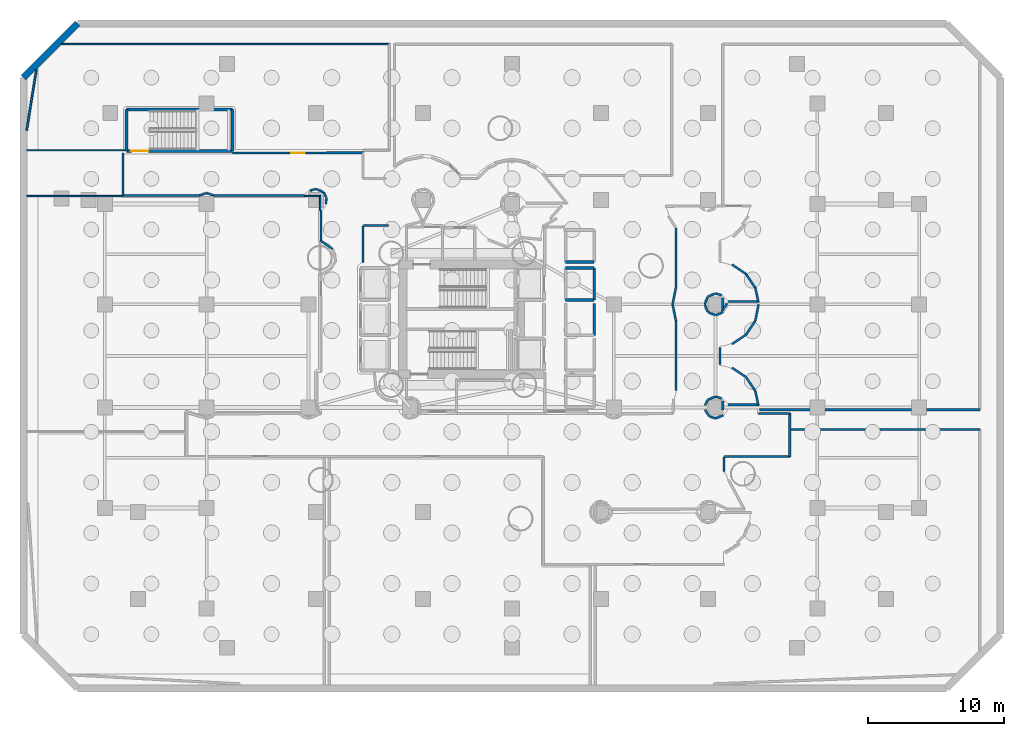
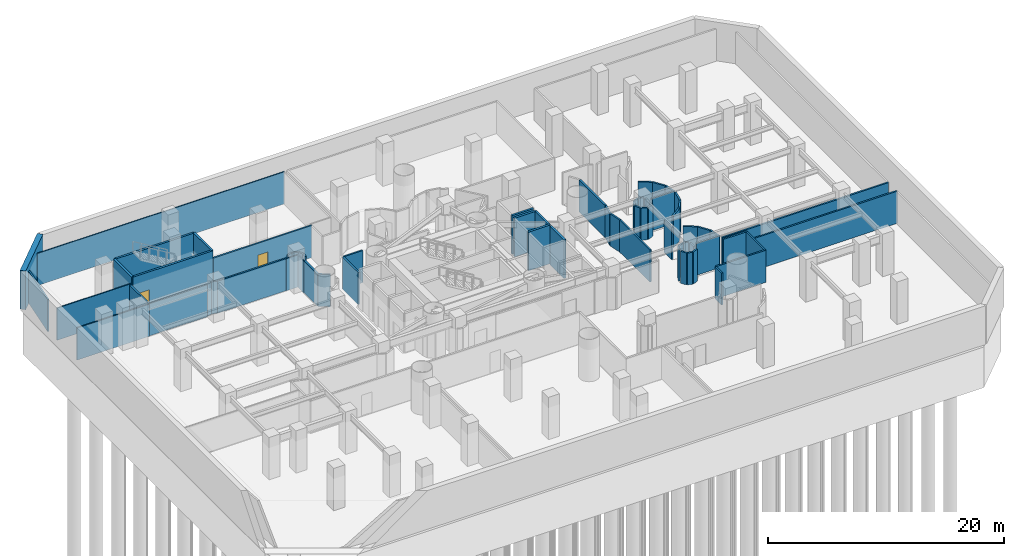
# One storey, part 5 of 13: 67 walls, 2 doors, 2 openings.
"""IFC4 building model written with IfcOpenShell, lengths in metres."""

from ifc_helpers import new_model, si_unit, direction, frame, frame_2d, origin, place, context, subcontext, project, spatial, rectangle, extrude, material, layer, layer_set, type_object, element, fill, save


model = new_model("IFC4")

# Units and contexts
model_context = context("Model", 3, precision=1e-05, world=origin(), true_north=direction((0.0, 1.0)))
body_context = subcontext(model_context, "Body", "Model", "MODEL_VIEW")
ifc_project = project(units=[si_unit("LENGTHUNIT", "METRE"), si_unit("AREAUNIT", "SQUARE_METRE"), si_unit("VOLUMEUNIT", "CUBIC_METRE"), si_unit("PLANEANGLEUNIT", "RADIAN"), si_unit("MASSUNIT", "GRAM", prefix="KILO")], contexts=[model_context])

# Site, building, storey
site_placement = place(None, origin())
site = spatial("IfcSite", under=ifc_project, at=site_placement, CompositionType="ELEMENT")
building_placement = place(site_placement, origin())
building = spatial("IfcBuilding", under=site, at=building_placement, Name="Qianvela Tower", CompositionType="ELEMENT")
storey_placement = place(building_placement, frame((0.0, 0.0, -10.0)))
storey = spatial("IfcBuildingStorey", under=building, at=storey_placement, Name="B02", CompositionType="ELEMENT", Elevation=-10.0)

# Wall
ifc_material_1 = material(Name="Fire-Rated Gypsum and Concrete Block", Category="concrete")
ifc_layer_1 = layer(ifc_material_1, 0.159912109375)
ifc_layer_set_1 = layer_set([ifc_layer_1], Name="Fire-Rated Gypsum and Concrete Block")
wall_type_1 = type_object("IfcWallType", Name="WT-CORR-160", PredefinedType="PARTITIONING", material=ifc_layer_set_1)
wall_1_placement = place(storey_placement, frame((8.8310546875, 37.800048828125, 0.0), z_axis=(0.0, 0.0, 1.0), x_axis=(0.0, 1.0, 0.0)))
element("IfcWall", 1, at=wall_1_placement, inside=storey, type_object=wall_type_1, Name="B02 Partition 36", PredefinedType="PARTITIONING", context=body_context, shape_type="SweptSolid", body=[
    extrude(rectangle(XDim=3.159912109375, YDim=0.159912109375, at=frame_2d((1.580078125, 0.0))), origin(), (0.0, 0.0, 1.0), 3.320068359375),
])

# Wall, opening, door
wall_2_placement = place(storey_placement, frame((16.89990234375, 40.947265625, 0.0), z_axis=(0.0, 0.0, 1.0), x_axis=(0.999997465101, 0.002251619764, 0.0)))
wall_2 = element("IfcWall", 2, at=wall_2_placement, inside=storey, type_object=wall_type_1, Name="B02 Partition 37 seg 2", PredefinedType="PARTITIONING", context=body_context, shape_type="SweptSolid", body=[
    extrude(rectangle(XDim=9.650146484375, YDim=0.159912109375, at=frame_2d((4.8251953125, 0.0))), origin(), (0.0, 0.0, 1.0), 3.320068359375),
])
opening_1_placement = place(wall_2_placement, frame((4.335205078125, 0.0, 0.0)))
opening_1 = element("IfcOpeningElement", 3, at=opening_1_placement, cuts=wall_2, Name="Opening D-RM1", PredefinedType="OPENING", context=body_context, shape_type="SweptSolid", body=[
    extrude(rectangle(XDim=0.97998046875, YDim=2.10009765625, at=frame_2d((0.489990234375, 1.050048828125))), frame((0.0, 0.08984375, 0.0), z_axis=(0.0, -1.0, 0.0), x_axis=(1.0, 0.0, 0.0)), (0.0, 0.0, 1.0), 0.179931640625),
])
ifc_material_2 = material(Name="Solid Core Acoustic Timber Fire Door", Category="wood")
door_type_1 = type_object("IfcDoorType", Name="DT-ROOM-FD60", OperationType="NOTDEFINED", PredefinedType="DOOR", material=ifc_material_2)
door_1_placement = place(opening_1_placement, origin())
door_1 = element("IfcDoor", 4, at=door_1_placement, inside=storey, type_object=door_type_1, Name="B02 Door B02 Electric Bicycle Storage North to B02 Plant and Bicycle Corridor", OperationType="SINGLE_SWING_LEFT", OverallHeight=2.10009765625, OverallWidth=0.97998046875, PredefinedType="DOOR", context=body_context, shape_type="SweptSolid", body=[
    extrude(rectangle(XDim=0.97998046875, YDim=2.10009765625, at=frame_2d((0.489990234375, 1.050048828125))), frame((0.0, 0.02490234375, 0.0), z_axis=(0.0, -1.0, 0.0), x_axis=(1.0, 0.0, 0.0)), (0.0, 0.0, 1.0), 0.050048828125),
])
fill(opening_1, door_1)

# Walls
wall_3_placement = place(storey_placement, frame((28.411376953125, 35.611083984375, 0.0), z_axis=(0.0, 0.0, 1.0), x_axis=(-1.0, 0.0, 0.0)))
element("IfcWall", 5, at=wall_3_placement, inside=storey, type_object=wall_type_1, Name="B02 Partition 77", PredefinedType="PARTITIONING", context=body_context, shape_type="SweptSolid", body=[
    extrude(rectangle(XDim=1.861328125, YDim=0.159912109375, at=frame_2d((0.9306640625, 0.0))), origin(), (0.0, 0.0, 1.0), 3.320068359375),
])
wall_4_placement = place(storey_placement, frame((26.51904296875, 35.580078125, 0.0), z_axis=(0.0, 0.0, 1.0), x_axis=(0.0, -1.0, 0.0)))
element("IfcWall", 6, at=wall_4_placement, inside=storey, type_object=wall_type_1, Name="B02 Partition 78", PredefinedType="PARTITIONING", context=body_context, shape_type="SweptSolid", body=[
    extrude(rectangle(XDim=2.682861328125, YDim=0.159912109375, at=frame_2d((1.34130859375, 0.0))), origin(), (0.0, 0.0, 1.0), 3.320068359375),
])
wall_5_placement = place(storey_placement, frame((49.5810546875, 23.4365234375, 0.0), z_axis=(0.0, 0.0, 1.0), x_axis=(0.0, 1.0, 0.0)))
element("IfcWall", 7, at=wall_5_placement, inside=storey, type_object=wall_type_1, Name="B02 Partition 93", PredefinedType="PARTITIONING", context=body_context, shape_type="SweptSolid", body=[
    extrude(rectangle(XDim=5.126953125, YDim=0.159912109375, at=frame_2d((2.5634765625, 0.0))), origin(), (0.0, 0.0, 1.0), 3.320068359375),
])
for number, where, z_axis, x_axis, name in (
    (8, (49.580322265625, 28.569580078125, 0.0), (0.0, 0.0, 1.0), (-0.198162533944, 0.980169174245, 0.0), "B02 Partition 94"),
    (9, (49.330322265625, 29.7939453125, 0.0), (0.0, 0.0, 1.0), (0.198162533944, 0.980169174245, 0.0), "B02 Partition 95"),
):
    element("IfcWall", number, at=place(storey_placement, frame(where, z_axis=z_axis, x_axis=x_axis)), inside=storey, type_object=wall_type_1, Name=name, PredefinedType="PARTITIONING", context=body_context, shape_type="SweptSolid", body=[
        extrude(rectangle(XDim=1.261474609375, YDim=0.159912109375, at=frame_2d((0.630859375, 0.0))), origin(), (0.0, 0.0, 1.0), 3.320068359375),
    ])
wall_6_placement = place(storey_placement, frame((49.5810546875, 31.03662109375, 0.0), z_axis=(0.0, 0.0, 1.0), x_axis=(0.0, 1.0, 0.0)))
element("IfcWall", 10, at=wall_6_placement, inside=storey, type_object=wall_type_1, Name="B02 Partition 96", PredefinedType="PARTITIONING", context=body_context, shape_type="SweptSolid", body=[
    extrude(rectangle(XDim=4.37451171875, YDim=0.159912109375, at=frame_2d((2.187255859375, 0.0))), origin(), (0.0, 0.0, 1.0), 3.320068359375),
])
for number, where, z_axis, x_axis, name in (
    (11, (53.70751953125, 32.730712890625, 0.0), (0.0, 0.0, 1.0), (0.831478245117, -0.555557312883, 0.0), "B02 Partition 108"),
    (12, (54.737060546875, 32.04541015625, 0.0), (0.0, 0.0, 1.0), (0.555557312883, -0.831478245117, 0.0), "B02 Partition 109"),
):
    element("IfcWall", number, at=place(storey_placement, frame(where, z_axis=z_axis, x_axis=x_axis)), inside=storey, type_object=wall_type_1, Name=name, PredefinedType="PARTITIONING", context=body_context, shape_type="SweptSolid", body=[
        extrude(rectangle(XDim=1.24853515625, YDim=0.159912109375, at=frame_2d((0.624267578125, 0.0))), origin(), (0.0, 0.0, 1.0), 3.320068359375),
    ])
wall_7_placement = place(storey_placement, frame((55.426025390625, 31.01806640625, 0.0), z_axis=(0.0, 0.0, 1.0), x_axis=(0.210629490676, -0.977565965885, 0.0)))
element("IfcWall", 13, at=wall_7_placement, inside=storey, type_object=wall_type_1, Name="B02 Partition 110", PredefinedType="PARTITIONING", context=body_context, shape_type="SweptSolid", body=[
    extrude(rectangle(XDim=1.07568359375, YDim=0.159912109375, at=frame_2d((0.537841796875, 0.0))), origin(), (0.0, 0.0, 1.0), 3.320068359375),
])
wall_8_placement = place(storey_placement, frame((55.682861328125, 30.004150390625, 0.0), z_axis=(0.0, 0.0, 1.0), x_axis=(-0.99999670426, -0.002567385634, 0.0)))
element("IfcWall", 14, at=wall_8_placement, inside=storey, type_object=wall_type_1, Name="B02 Partition 111", PredefinedType="PARTITIONING", context=body_context, shape_type="SweptSolid", body=[
    extrude(rectangle(XDim=2.2822265625, YDim=0.159912109375, at=frame_2d((1.14111328125, 0.0))), origin(), (0.0, 0.0, 1.0), 3.320068359375),
])
wall_9_placement = place(storey_placement, frame((52.936767578125, 30.469970703125, 0.0), z_axis=(0.0, 0.0, 1.0), x_axis=(-0.957010621041, 0.290052876583, 0.0)))
element("IfcWall", 15, at=wall_9_placement, inside=storey, type_object=wall_type_1, Name="B02 Partition 112", PredefinedType="PARTITIONING", context=body_context, shape_type="SweptSolid", body=[
    extrude(rectangle(XDim=0.447021484375, YDim=0.159912109375, at=frame_2d((0.2236328125, 0.0))), origin(), (0.0, 0.0, 1.0), 3.320068359375),
])
wall_10_placement = place(storey_placement, frame((52.488037109375, 30.5986328125, 0.0), z_axis=(0.0, 0.0, 1.0), x_axis=(-0.923835035561, -0.382790839847, 0.0)))
element("IfcWall", 16, at=wall_10_placement, inside=storey, type_object=wall_type_1, Name="B02 Partition 113", PredefinedType="PARTITIONING", context=body_context, shape_type="SweptSolid", body=[
    extrude(rectangle(XDim=0.58935546875, YDim=0.159912109375, at=frame_2d((0.294677734375, 0.0))), origin(), (0.0, 0.0, 1.0), 3.320068359375),
])
wall_11_placement = place(storey_placement, frame((51.927001953125, 30.356201171875, 0.0), z_axis=(0.0, 0.0, 1.0), x_axis=(-0.382937393786, -0.923774297348, 0.0)))
element("IfcWall", 17, at=wall_11_placement, inside=storey, type_object=wall_type_1, Name="B02 Partition 114", PredefinedType="PARTITIONING", context=body_context, shape_type="SweptSolid", body=[
    extrude(rectangle(XDim=0.589111328125, YDim=0.159912109375, at=frame_2d((0.29443359375, 0.0))), origin(), (0.0, 0.0, 1.0), 3.320068359375),
])
wall_12_placement = place(storey_placement, frame((51.701416015625, 29.7880859375, 0.0), z_axis=(0.0, 0.0, 1.0), x_axis=(0.382790839847, -0.923835035561, 0.0)))
element("IfcWall", 18, at=wall_12_placement, inside=storey, type_object=wall_type_1, Name="B02 Partition 115", PredefinedType="PARTITIONING", context=body_context, shape_type="SweptSolid", body=[
    extrude(rectangle(XDim=0.58935546875, YDim=0.159912109375, at=frame_2d((0.294677734375, 0.0))), origin(), (0.0, 0.0, 1.0), 3.320068359375),
])
for number, where, z_axis, x_axis, name in (
    (19, (51.943603515625, 29.226806640625, 0.0), (0.0, 0.0, 1.0), (0.923981493772, -0.382437183296, 0.0), "B02 Partition 116"),
    (20, (52.511962890625, 29.00146484375, 0.0), (0.0, 0.0, 1.0), (0.923981493772, 0.382437183296, 0.0), "B02 Partition 117"),
):
    element("IfcWall", number, at=place(storey_placement, frame(where, z_axis=z_axis, x_axis=x_axis)), inside=storey, type_object=wall_type_1, Name=name, PredefinedType="PARTITIONING", context=body_context, shape_type="SweptSolid", body=[
        extrude(rectangle(XDim=0.589111328125, YDim=0.159912109375, at=frame_2d((0.29443359375, 0.0))), origin(), (0.0, 0.0, 1.0), 3.320068359375),
    ])
wall_13_placement = place(storey_placement, frame((55.6689453125, 29.79931640625, 0.0), z_axis=(0.0, 0.0, 1.0), x_axis=(-0.195624591427, -0.980678856318, 0.0)))
element("IfcWall", 21, at=wall_13_placement, inside=storey, type_object=wall_type_1, Name="B02 Partition 119", PredefinedType="PARTITIONING", context=body_context, shape_type="SweptSolid", body=[
    extrude(rectangle(XDim=1.24169921875, YDim=0.159912109375, at=frame_2d((0.620849609375, 0.0))), origin(), (0.0, 0.0, 1.0), 3.320068359375),
])
for number, where, z_axis, x_axis, name in (
    (22, (55.4306640625, 28.592529296875, 0.0), (0.0, 0.0, 1.0), (-0.555557312883, -0.831478245117, 0.0), "B02 Partition 120"),
    (23, (54.74560546875, 27.56298828125, 0.0), (0.0, 0.0, 1.0), (-0.831478245117, -0.555557312883, 0.0), "B02 Partition 121"),
):
    element("IfcWall", number, at=place(storey_placement, frame(where, z_axis=z_axis, x_axis=x_axis)), inside=storey, type_object=wall_type_1, Name=name, PredefinedType="PARTITIONING", context=body_context, shape_type="SweptSolid", body=[
        extrude(rectangle(XDim=1.24853515625, YDim=0.159912109375, at=frame_2d((0.624267578125, 0.0))), origin(), (0.0, 0.0, 1.0), 3.320068359375),
    ])
wall_14_placement = place(storey_placement, frame((52.819091796875, 26.634521484375, 0.0), z_axis=(0.0, 0.0, 1.0), x_axis=(0.0, -1.0, 0.0)))
element("IfcWall", 24, at=wall_14_placement, inside=storey, type_object=wall_type_1, Name="B02 Partition 123", PredefinedType="PARTITIONING", context=body_context, shape_type="SweptSolid", body=[
    extrude(rectangle(XDim=1.26904296875, YDim=0.159912109375, at=frame_2d((0.634521484375, 0.0))), origin(), (0.0, 0.0, 1.0), 3.320068359375),
])
for number, where, z_axis, x_axis, name in (
    (25, (53.70751953125, 25.130615234375, 0.0), (0.0, 0.0, 1.0), (0.831478245117, -0.555557312883, 0.0), "B02 Partition 125"),
    (26, (54.737060546875, 24.445556640625, 0.0), (0.0, 0.0, 1.0), (0.555557312883, -0.831478245117, 0.0), "B02 Partition 126"),
):
    element("IfcWall", number, at=place(storey_placement, frame(where, z_axis=z_axis, x_axis=x_axis)), inside=storey, type_object=wall_type_1, Name=name, PredefinedType="PARTITIONING", context=body_context, shape_type="SweptSolid", body=[
        extrude(rectangle(XDim=1.24853515625, YDim=0.159912109375, at=frame_2d((0.624267578125, 0.0))), origin(), (0.0, 0.0, 1.0), 3.320068359375),
    ])
wall_15_placement = place(storey_placement, frame((55.426025390625, 23.418212890625, 0.0), z_axis=(0.0, 0.0, 1.0), x_axis=(0.210582766426, -0.977576032073, 0.0)))
element("IfcWall", 27, at=wall_15_placement, inside=storey, type_object=wall_type_1, Name="B02 Partition 127", PredefinedType="PARTITIONING", context=body_context, shape_type="SweptSolid", body=[
    extrude(rectangle(XDim=1.075927734375, YDim=0.159912109375, at=frame_2d((0.5380859375, 0.0))), origin(), (0.0, 0.0, 1.0), 3.320068359375),
])
wall_16_placement = place(storey_placement, frame((55.682861328125, 22.404052734375, 0.0), z_axis=(0.0, 0.0, 1.0), x_axis=(-0.999996973182, -0.002460411894, 0.0)))
element("IfcWall", 28, at=wall_16_placement, inside=storey, type_object=wall_type_1, Name="B02 Partition 128", PredefinedType="PARTITIONING", context=body_context, shape_type="SweptSolid", body=[
    extrude(rectangle(XDim=2.2822265625, YDim=0.159912109375, at=frame_2d((1.14111328125, 0.0))), origin(), (0.0, 0.0, 1.0), 3.320068359375),
])
wall_17_placement = place(storey_placement, frame((52.936767578125, 22.869873046875, 0.0), z_axis=(0.0, 0.0, 1.0), x_axis=(-0.956858887343, 0.290553041134, 0.0)))
element("IfcWall", 29, at=wall_17_placement, inside=storey, type_object=wall_type_1, Name="B02 Partition 129", PredefinedType="PARTITIONING", context=body_context, shape_type="SweptSolid", body=[
    extrude(rectangle(XDim=0.447021484375, YDim=0.159912109375, at=frame_2d((0.2236328125, 0.0))), origin(), (0.0, 0.0, 1.0), 3.320068359375),
])
wall_18_placement = place(storey_placement, frame((52.488037109375, 22.99853515625, 0.0), z_axis=(0.0, 0.0, 1.0), x_axis=(-0.923981493772, -0.382437183296, 0.0)))
element("IfcWall", 30, at=wall_18_placement, inside=storey, type_object=wall_type_1, Name="B02 Partition 130", PredefinedType="PARTITIONING", context=body_context, shape_type="SweptSolid", body=[
    extrude(rectangle(XDim=0.589111328125, YDim=0.159912109375, at=frame_2d((0.29443359375, 0.0))), origin(), (0.0, 0.0, 1.0), 3.320068359375),
])
wall_19_placement = place(storey_placement, frame((51.92822265625, 22.759033203125, 0.0), z_axis=(0.0, 0.0, 1.0), x_axis=(-0.471296709458, -0.881974722798, 0.0)))
element("IfcWall", 31, at=wall_19_placement, inside=storey, type_object=wall_type_1, Name="B02 Partition 131", PredefinedType="PARTITIONING", context=body_context, shape_type="SweptSolid", body=[
    extrude(rectangle(XDim=0.447021484375, YDim=0.159912109375, at=frame_2d((0.2236328125, 0.0))), origin(), (0.0, 0.0, 1.0), 3.320068359375),
])
wall_20_placement = place(storey_placement, frame((51.718994140625, 22.03271484375, 0.0), z_axis=(0.0, 0.0, 1.0), x_axis=(0.555369021078, -0.831604022613, 0.0)))
element("IfcWall", 32, at=wall_20_placement, inside=storey, type_object=wall_type_1, Name="B02 Partition 132", PredefinedType="PARTITIONING", context=body_context, shape_type="SweptSolid", body=[
    extrude(rectangle(XDim=0.589599609375, YDim=0.159912109375, at=frame_2d((0.294921875, 0.0))), origin(), (0.0, 0.0, 1.0), 3.320068359375),
])
wall_21_placement = place(storey_placement, frame((52.063232421875, 21.530029296875, 0.0), z_axis=(0.0, 0.0, 1.0), x_axis=(0.957010621041, -0.290052876583, 0.0)))
element("IfcWall", 33, at=wall_21_placement, inside=storey, type_object=wall_type_1, Name="B02 Partition 133", PredefinedType="PARTITIONING", context=body_context, shape_type="SweptSolid", body=[
    extrude(rectangle(XDim=0.447021484375, YDim=0.159912109375, at=frame_2d((0.2236328125, 0.0))), origin(), (0.0, 0.0, 1.0), 3.320068359375),
])
wall_22_placement = place(storey_placement, frame((52.511962890625, 21.4013671875, 0.0), z_axis=(0.0, 0.0, 1.0), x_axis=(0.923835035561, 0.382790839847, 0.0)))
element("IfcWall", 34, at=wall_22_placement, inside=storey, type_object=wall_type_1, Name="B02 Partition 134", PredefinedType="PARTITIONING", context=body_context, shape_type="SweptSolid", body=[
    extrude(rectangle(XDim=0.58935546875, YDim=0.159912109375, at=frame_2d((0.294677734375, 0.0))), origin(), (0.0, 0.0, 1.0), 3.320068359375),
])
wall_23_placement = place(storey_placement, frame((55.65869140625, 21.7490234375, 0.0), z_axis=(0.0, 0.0, 1.0), x_axis=(1.0, 0.0, 0.0)))
element("IfcWall", 35, at=wall_23_placement, inside=storey, type_object=wall_type_1, Name="B02 Partition 136", PredefinedType="PARTITIONING", context=body_context, shape_type="SweptSolid", body=[
    extrude(rectangle(XDim=2.34130859375, YDim=0.159912109375, at=frame_2d((1.170654296875, 0.0))), origin(), (0.0, 0.0, 1.0), 3.320068359375),
])
wall_24_placement = place(storey_placement, frame((57.968994140625, 21.780029296875, 0.0), z_axis=(0.0, 0.0, 1.0), x_axis=(0.0, -1.0, 0.0)))
element("IfcWall", 36, at=wall_24_placement, inside=storey, type_object=wall_type_1, Name="B02 Partition 137", PredefinedType="PARTITIONING", context=body_context, shape_type="SweptSolid", body=[
    extrude(rectangle(XDim=3.22998046875, YDim=0.159912109375, at=frame_2d((1.614990234375, 0.0))), origin(), (0.0, 0.0, 1.0), 3.320068359375),
])
wall_25_placement = place(storey_placement, frame((58.0, 18.5810546875, 0.0), z_axis=(0.0, 0.0, 1.0), x_axis=(-1.0, 0.0, 0.0)))
element("IfcWall", 37, at=wall_25_placement, inside=storey, type_object=wall_type_1, Name="B02 Partition 138", PredefinedType="PARTITIONING", context=body_context, shape_type="SweptSolid", body=[
    extrude(rectangle(XDim=4.85009765625, YDim=0.159912109375, at=frame_2d((2.425048828125, 0.0))), origin(), (0.0, 0.0, 1.0), 3.320068359375),
])
wall_26_placement = place(storey_placement, frame((53.118896484375, 18.550048828125, 0.0), z_axis=(0.0, 0.0, 1.0), x_axis=(0.0, -1.0, 0.0)))
element("IfcWall", 38, at=wall_26_placement, inside=storey, type_object=wall_type_1, Name="B02 Partition 139", PredefinedType="PARTITIONING", context=body_context, shape_type="SweptSolid", body=[
    extrude(rectangle(XDim=1.08447265625, YDim=0.159912109375, at=frame_2d((0.542236328125, 0.0))), origin(), (0.0, 0.0, 1.0), 3.320068359375),
])
wall_27_placement = place(storey_placement, frame((24.287109375, 33.87548828125, 0.0), z_axis=(0.0, 0.0, 1.0), x_axis=(-0.819199496394, 0.573508661755, 0.0)))
element("IfcWall", 39, at=wall_27_placement, inside=storey, type_object=wall_type_1, Name="B02 Partition 176", PredefinedType="PARTITIONING", context=body_context, shape_type="SweptSolid", body=[
    extrude(rectangle(XDim=1.061279296875, YDim=0.159912109375, at=frame_2d((0.53076171875, 0.0))), origin(), (0.0, 0.0, 1.0), 3.320068359375),
])
wall_28_placement = place(storey_placement, frame((23.430908203125, 34.458740234375, 0.0), z_axis=(0.0, 0.0, 1.0), x_axis=(0.0, 1.0, 0.0)))
element("IfcWall", 40, at=wall_28_placement, inside=storey, type_object=wall_type_1, Name="B02 Partition 177", PredefinedType="PARTITIONING", context=body_context, shape_type="SweptSolid", body=[
    extrude(rectangle(XDim=2.266357421875, YDim=0.159912109375, at=frame_2d((1.13330078125, 0.0))), origin(), (0.0, 0.0, 1.0), 3.320068359375),
])
for number, where, z_axis, x_axis, name in (
    (41, (23.786865234375, 37.202392578125, 0.0), (0.0, 0.0, 1.0), (0.098313930367, 0.995155450719, 0.0), "B02 Partition 178"),
    (42, (23.8271484375, 37.664794921875, 0.0), (0.0, 0.0, 1.0), (-0.471296709458, 0.881974722798, 0.0), "B02 Partition 179"),
):
    element("IfcWall", number, at=place(storey_placement, frame(where, z_axis=z_axis, x_axis=x_axis)), inside=storey, type_object=wall_type_1, Name=name, PredefinedType="PARTITIONING", context=body_context, shape_type="SweptSolid", body=[
        extrude(rectangle(XDim=0.447021484375, YDim=0.159912109375, at=frame_2d((0.2236328125, 0.0))), origin(), (0.0, 0.0, 1.0), 3.320068359375),
    ])
wall_29_placement = place(storey_placement, frame((23.600830078125, 38.072998046875, 0.0), z_axis=(0.0, 0.0, 1.0), x_axis=(-0.923835035561, 0.382790839847, 0.0)))
element("IfcWall", 43, at=wall_29_placement, inside=storey, type_object=wall_type_1, Name="B02 Partition 180", PredefinedType="PARTITIONING", context=body_context, shape_type="SweptSolid", body=[
    extrude(rectangle(XDim=0.58935546875, YDim=0.159912109375, at=frame_2d((0.294677734375, 0.0))), origin(), (0.0, 0.0, 1.0), 3.320068359375),
])
wall_30_placement = place(storey_placement, frame((23.03564453125, 38.2998046875, 0.0), z_axis=(0.0, 0.0, 1.0), x_axis=(-0.956858887343, -0.290553041134, 0.0)))
element("IfcWall", 44, at=wall_30_placement, inside=storey, type_object=wall_type_1, Name="B02 Partition 181", PredefinedType="PARTITIONING", context=body_context, shape_type="SweptSolid", body=[
    extrude(rectangle(XDim=0.447021484375, YDim=0.159912109375, at=frame_2d((0.2236328125, 0.0))), origin(), (0.0, 0.0, 1.0), 3.320068359375),
])
wall_31_placement = place(storey_placement, frame((22.2021484375, 37.8310546875, 0.0), z_axis=(0.0, 0.0, 1.0), x_axis=(-1.0, 0.0, 0.0)))
element("IfcWall", 45, at=wall_31_placement, inside=storey, type_object=wall_type_1, Name="B02 Partition 182", PredefinedType="PARTITIONING", context=body_context, shape_type="SweptSolid", body=[
    extrude(rectangle(XDim=6.698974609375, YDim=0.159912109375, at=frame_2d((3.349609375, 0.0))), origin(), (0.0, 0.0, 1.0), 3.320068359375),
])
for number, where, z_axis, x_axis, name in (
    (46, (15.512939453125, 37.829345703125, 0.0), (0.0, 0.0, 1.0), (-0.947248188963, 0.320500964906, 0.0), "B02 Partition 183"),
    (47, (14.989990234375, 37.99951171875, 0.0), (0.0, 0.0, 1.0), (-0.947248188963, -0.320500964906, 0.0), "B02 Partition 184"),
):
    element("IfcWall", number, at=place(storey_placement, frame(where, z_axis=z_axis, x_axis=x_axis)), inside=storey, type_object=wall_type_1, Name=name, PredefinedType="PARTITIONING", context=body_context, shape_type="SweptSolid", body=[
        extrude(rectangle(XDim=0.531005859375, YDim=0.159912109375, at=frame_2d((0.265625, 0.0))), origin(), (0.0, 0.0, 1.0), 3.320068359375),
    ])
wall_32_placement = place(storey_placement, frame((14.496826171875, 37.8310546875, 0.0), z_axis=(0.0, 0.0, 1.0), x_axis=(-1.0, 0.0, 0.0)))
element("IfcWall", 48, at=wall_32_placement, inside=storey, type_object=wall_type_1, Name="B02 Partition 185", PredefinedType="PARTITIONING", context=body_context, shape_type="SweptSolid", body=[
    extrude(rectangle(XDim=5.69677734375, YDim=0.159912109375, at=frame_2d((2.848388671875, 0.0))), origin(), (0.0, 0.0, 1.0), 3.320068359375),
])
wall_33_placement = place(storey_placement, frame((53.3623046875, 29.8662109375, 0.0), z_axis=(0.0, 0.0, 1.0), x_axis=(-0.577825504344, -0.816160331387, 0.0)))
element("IfcWall", 49, at=wall_33_placement, inside=storey, type_object=wall_type_1, Name="B02 Partition 216", PredefinedType="PARTITIONING", context=body_context, shape_type="SweptSolid", body=[
    extrude(rectangle(XDim=0.6708984375, YDim=0.159912109375, at=frame_2d((0.33544921875, 0.0))), origin(), (0.0, 0.0, 1.0), 3.320068359375),
])
wall_34_placement = place(storey_placement, frame((53.031005859375, 29.300537109375, 0.0), z_axis=(0.0, 0.0, 1.0), x_axis=(0.0, 1.0, 0.0)))
element("IfcWall", 50, at=wall_34_placement, inside=storey, type_object=wall_type_1, Name="B02 Partition 217", PredefinedType="PARTITIONING", context=body_context, shape_type="SweptSolid", body=[
    extrude(rectangle(XDim=0.979736328125, YDim=0.159912109375, at=frame_2d((0.48974609375, 0.0))), origin(), (0.0, 0.0, 1.0), 3.320068359375),
])
wall_35_placement = place(storey_placement, frame((72.0, 22.031005859375, 0.0), z_axis=(0.0, 0.0, 1.0), x_axis=(-1.0, 0.0, 0.0)))
element("IfcWall", 51, at=wall_35_placement, inside=storey, type_object=wall_type_1, Name="B02 Partition 229", PredefinedType="PARTITIONING", context=body_context, shape_type="SweptSolid", body=[
    extrude(rectangle(XDim=16.25732421875, YDim=0.159912109375, at=frame_2d((8.128662109375, 0.0))), origin(), (0.0, 0.0, 1.0), 3.320068359375),
])
wall_36_placement = place(storey_placement, frame((53.031005859375, 22.0, 0.0), z_axis=(0.0, 0.0, 1.0), x_axis=(0.0, 1.0, 0.0)))
element("IfcWall", 52, at=wall_36_placement, inside=storey, type_object=wall_type_1, Name="B02 Partition 231", PredefinedType="PARTITIONING", context=body_context, shape_type="SweptSolid", body=[
    extrude(rectangle(XDim=0.680419921875, YDim=0.159912109375, at=frame_2d((0.34033203125, 0.0))), origin(), (0.0, 0.0, 1.0), 3.320068359375),
])
wall_37_placement = place(storey_placement, frame((58.06201171875, 20.569091796875, 0.0), z_axis=(0.0, 0.0, 1.0), x_axis=(1.0, 0.0, 0.0)))
element("IfcWall", 53, at=wall_37_placement, inside=storey, type_object=wall_type_1, Name="B02 Partition 258", PredefinedType="PARTITIONING", context=body_context, shape_type="SweptSolid", body=[
    extrude(rectangle(XDim=13.93798828125, YDim=0.159912109375, at=frame_2d((6.968994140625, 0.0))), origin(), (0.0, 0.0, 1.0), 3.320068359375),
])
ifc_material_3 = material(Name="Lightweight Gypsum Room Partition")
ifc_layer_2 = layer(ifc_material_3, 0.10498046875)
ifc_layer_set_2 = layer_set([ifc_layer_2], Name="Lightweight Gypsum Room Partition")
wall_type_2 = type_object("IfcWallType", Name="WT-PART-105", PredefinedType="PARTITIONING", material=ifc_layer_set_2)
wall_38_placement = place(storey_placement, frame((8.9599609375, 41.15087890625, 0.0), z_axis=(0.0, 0.0, 1.0), x_axis=(-1.0, 0.0, 0.0)))
element("IfcWall", 54, at=wall_38_placement, inside=storey, type_object=wall_type_2, Name="B02 Partition 189", PredefinedType="PARTITIONING", context=body_context, shape_type="SweptSolid", body=[
    extrude(rectangle(XDim=7.221923828125, YDim=0.10498046875, at=frame_2d((3.61083984375, 0.0))), origin(), (0.0, 0.0, 1.0), 3.320068359375),
])
wall_39_placement = place(storey_placement, frame((4.3056640625, 48.968994140625, 0.0), z_axis=(0.0, 0.0, 1.0), x_axis=(1.0, 0.0, 0.0)))
element("IfcWall", 55, at=wall_39_placement, inside=storey, type_object=wall_type_2, Name="B02 Partition 192", PredefinedType="PARTITIONING", context=body_context, shape_type="SweptSolid", body=[
    extrude(rectangle(XDim=24.1943359375, YDim=0.10498046875, at=frame_2d((12.09716796875, 0.0))), origin(), (0.0, 0.0, 1.0), 3.320068359375),
])
wall_40_placement = place(storey_placement, frame((23.368896484375, 37.800048828125, 0.0), z_axis=(0.0, 0.0, 1.0), x_axis=(-0.004769421111, -0.999988626246, 0.0)))
element("IfcWall", 56, at=wall_40_placement, inside=storey, type_object=wall_type_2, Name="B02 Partition 195 seg 1", PredefinedType="PARTITIONING", context=body_context, shape_type="SweptSolid", body=[
    extrude(rectangle(XDim=1.074951171875, YDim=0.10498046875, at=frame_2d((0.53759765625, 0.0))), origin(), (0.0, 0.0, 1.0), 3.320068359375),
])
ifc_material_4 = material(Name="Insulated Gypsum Stud Partition")
ifc_layer_3 = layer(ifc_material_4, 0.1201171875)
ifc_layer_set_3 = layer_set([ifc_layer_3], Name="Insulated Gypsum Stud Partition")
wall_type_3 = type_object("IfcWallType", Name="WT-PART-120", PredefinedType="PARTITIONING", material=ifc_layer_set_3)
wall_41_placement = place(storey_placement, frame((1.738037109375, 37.76904296875, 0.0), z_axis=(0.0, 0.0, 1.0), x_axis=(1.0, 0.0, 0.0)))
element("IfcWall", 57, at=wall_41_placement, inside=storey, type_object=wall_type_3, Name="B02 Partition 206 seg 1", PredefinedType="PARTITIONING", context=body_context, shape_type="SweptSolid", body=[
    extrude(rectangle(XDim=7.06201171875, YDim=0.1201171875, at=frame_2d((3.531005859375, 0.0))), origin(), (0.0, 0.0, 1.0), 3.320068359375),
])
wall_42_placement = place(storey_placement, frame((22.2021484375, 37.76904296875, 0.0), z_axis=(0.0, 0.0, 1.0), x_axis=(1.0, 0.0, 0.0)))
element("IfcWall", 58, at=wall_42_placement, inside=storey, type_object=wall_type_3, Name="B02 Partition 206 seg 3", PredefinedType="PARTITIONING", context=body_context, shape_type="SweptSolid", body=[
    extrude(rectangle(XDim=1.19775390625, YDim=0.1201171875, at=frame_2d((0.598876953125, 0.0))), origin(), (0.0, 0.0, 1.0), 3.320068359375),
])
ifc_material_5 = material(Name="Waterproof Concrete C50", Category="concrete")
ifc_layer_4 = layer(ifc_material_5, 0.5)
ifc_layer_set_4 = layer_set([ifc_layer_4], Name="Waterproof Concrete C50")
wall_type_4 = type_object("IfcWallType", Name="WT-RET-500", PredefinedType="SOLIDWALL", material=ifc_layer_set_4)
wall_43_placement = place(storey_placement, frame((5.5, 50.5, 0.0), z_axis=(0.0, 0.0, 1.0), x_axis=(-0.707106781187, -0.707106781187, 0.0)))
element("IfcWall", 59, at=wall_43_placement, inside=storey, type_object=wall_type_4, Name="B02 Perimeter Diaphragm Retaining Wall 6", PredefinedType="SOLIDWALL", context=body_context, shape_type="SweptSolid", body=[
    extrude(rectangle(XDim=5.65673828125, YDim=0.5, at=frame_2d((2.828369140625, 0.0))), origin(), (0.0, 0.0, 1.0), 4.0),
])
ifc_material_6 = material(Name="Acoustic Double Gypsum Stud Partition")
ifc_layer_5 = layer(ifc_material_6, 0.139892578125)
ifc_layer_set_5 = layer_set([ifc_layer_5], Name="Acoustic Double Gypsum Stud Partition")
wall_type_5 = type_object("IfcWallType", Name="WT-ROOM-140", PredefinedType="PARTITIONING", material=ifc_layer_set_5)
wall_44_placement = place(storey_placement, frame((1.739990234375, 42.616943359375, 0.0), z_axis=(0.0, 0.0, 1.0), x_axis=(0.158292817812, 0.987392213778, 0.0)))
element("IfcWall", 60, at=wall_44_placement, inside=storey, type_object=wall_type_5, Name="B02 Partition 190 seg 1", PredefinedType="PARTITIONING", context=body_context, shape_type="SweptSolid", body=[
    extrude(rectangle(XDim=4.56689453125, YDim=0.139892578125, at=frame_2d((2.283447265625, 0.0))), origin(), (0.0, 0.0, 1.0), 3.320068359375),
])

# Wall, opening, door
ifc_material_7 = material(Name="Concrete C50", Category="concrete")
ifc_layer_6 = layer(ifc_material_7, 0.199951171875)
ifc_layer_set_6 = layer_set([ifc_layer_6], Name="Concrete C50")
wall_type_6 = type_object("IfcWallType", Name="WT-SHAFT-200", PredefinedType="SOLIDWALL", material=ifc_layer_set_6)
wall_45_placement = place(storey_placement, frame((9.10009765625, 41.10009765625, 0.0), z_axis=(0.0, 0.0, 1.0), x_axis=(1.0, 0.0, 0.0)))
wall_45 = element("IfcWall", 61, at=wall_45_placement, inside=storey, type_object=wall_type_6, Name="B02 Stair ST-3 Foundation Support Wall S", PredefinedType="SOLIDWALL", context=body_context, shape_type="SweptSolid", body=[
    extrude(rectangle(XDim=7.7998046875, YDim=0.199951171875, at=frame_2d((3.89990234375, 0.0))), origin(), (0.0, 0.0, 1.0), 4.0),
])
opening_2_placement = place(wall_45_placement, frame((0.360107421875, 0.0, 0.0)))
opening_2 = element("IfcOpeningElement", 62, at=opening_2_placement, cuts=wall_45, Name="Opening D-ST1", PredefinedType="OPENING", context=body_context, shape_type="SweptSolid", body=[
    extrude(rectangle(XDim=1.25, YDim=2.14990234375, at=frame_2d((0.625, 1.074951171875))), frame((0.0, 0.10986328125, 0.0), z_axis=(0.0, -1.0, 0.0), x_axis=(1.0, 0.0, 0.0)), (0.0, 0.0, 1.0), 0.219970703125),
])
ifc_material_8 = material(Name="Galvanised Fire Steel Q355B", Category="steel")
door_type_2 = type_object("IfcDoorType", Name="DT-STAIR-FD90", OperationType="NOTDEFINED", PredefinedType="DOOR", material=ifc_material_8)
door_2_placement = place(opening_2_placement, origin())
door_2 = element("IfcDoor", 63, at=door_2_placement, inside=storey, type_object=door_type_2, Name="B02 Stair ST-3 Exit Door", OperationType="SINGLE_SWING_LEFT", OverallHeight=2.14990234375, OverallWidth=1.25, PredefinedType="DOOR", context=body_context, shape_type="SweptSolid", body=[
    extrude(rectangle(XDim=1.25, YDim=2.14990234375, at=frame_2d((0.625, 1.074951171875))), frame((0.0, 0.02490234375, 0.0), z_axis=(0.0, -1.0, 0.0), x_axis=(1.0, 0.0, 0.0)), (0.0, 0.0, 1.0), 0.050048828125),
])
fill(opening_2, door_2)

# Walls
wall_46_placement = place(storey_placement, frame((9.10009765625, 44.159912109375, 0.0), z_axis=(0.0, 0.0, 1.0), x_axis=(1.0, 0.0, 0.0)))
element("IfcWall", 64, at=wall_46_placement, inside=storey, type_object=wall_type_6, Name="B02 Stair ST-3 Foundation Support Wall N", PredefinedType="SOLIDWALL", context=body_context, shape_type="SweptSolid", body=[
    extrude(rectangle(XDim=7.7998046875, YDim=0.199951171875, at=frame_2d((3.89990234375, 0.0))), origin(), (0.0, 0.0, 1.0), 4.0),
])
for number, where, z_axis, x_axis, name in (
    (65, (9.10009765625, 41.10009765625, 0.0), (0.0, 0.0, 1.0), (0.0, 1.0, 0.0), "B02 Stair ST-3 Foundation Support Wall W"),
    (66, (16.89990234375, 41.10009765625, 0.0), (0.0, 0.0, 1.0), (0.0, 1.0, 0.0), "B02 Stair ST-3 Foundation Support Wall E"),
):
    element("IfcWall", number, at=place(storey_placement, frame(where, z_axis=z_axis, x_axis=x_axis)), inside=storey, type_object=wall_type_6, Name=name, PredefinedType="SOLIDWALL", context=body_context, shape_type="SweptSolid", body=[
        extrude(rectangle(XDim=3.059814453125, YDim=0.199951171875, at=frame_2d((1.52978515625, 0.0))), origin(), (0.0, 0.0, 1.0), 4.0),
    ])
wall_47_placement = place(storey_placement, frame((43.550048828125, 30.1201171875, 0.0), z_axis=(0.0, 0.0, 1.0), x_axis=(0.0, 1.0, 0.0)))
element("IfcWall", 67, at=wall_47_placement, inside=storey, type_object=wall_type_6, Name="B02 Lift PL-M1 E Shaft Wall", PredefinedType="SOLIDWALL", context=body_context, shape_type="SweptSolid", body=[
    extrude(rectangle(XDim=2.35986328125, YDim=0.199951171875, at=frame_2d((1.179931640625, 0.0))), origin(), (0.0, 0.0, 1.0), 4.0),
])
for number, where, z_axis, x_axis, name in (
    (68, (41.449951171875, 32.47998046875, 0.0), (0.0, 0.0, 1.0), (1.0, 0.0, 0.0), "B02 Lift PL-M1 N Shaft Wall"),
    (69, (41.449951171875, 30.1201171875, 0.0), (0.0, 0.0, 1.0), (1.0, 0.0, 0.0), "B02 Lift PL-M1 S Shaft Wall"),
):
    element("IfcWall", number, at=place(storey_placement, frame(where, z_axis=z_axis, x_axis=x_axis)), inside=storey, type_object=wall_type_6, Name=name, PredefinedType="SOLIDWALL", context=body_context, shape_type="SweptSolid", body=[
        extrude(rectangle(XDim=2.10009765625, YDim=0.199951171875, at=frame_2d((1.050048828125, 0.0))), origin(), (0.0, 0.0, 1.0), 4.0),
    ])
wall_48_placement = place(storey_placement, frame((43.550048828125, 27.52001953125, 0.0), z_axis=(0.0, 0.0, 1.0), x_axis=(0.0, 1.0, 0.0)))
element("IfcWall", 70, at=wall_48_placement, inside=storey, type_object=wall_type_6, Name="B02 Lift PL-M2 E Shaft Wall", PredefinedType="SOLIDWALL", context=body_context, shape_type="SweptSolid", body=[
    extrude(rectangle(XDim=2.35986328125, YDim=0.199951171875, at=frame_2d((1.179931640625, 0.0))), origin(), (0.0, 0.0, 1.0), 4.0),
])
wall_49_placement = place(storey_placement, frame((41.449951171875, 32.919921875, 0.0), z_axis=(0.0, 0.0, 1.0), x_axis=(1.0, 0.0, 0.0)))
element("IfcWall", 71, at=wall_49_placement, inside=storey, type_object=wall_type_6, Name="B02 Lift PL-H3 S Shaft Wall", PredefinedType="SOLIDWALL", context=body_context, shape_type="SweptSolid", body=[
    extrude(rectangle(XDim=2.10009765625, YDim=0.199951171875, at=frame_2d((1.050048828125, 0.0))), origin(), (0.0, 0.0, 1.0), 4.0),
])

save(model, "model.ifc")
